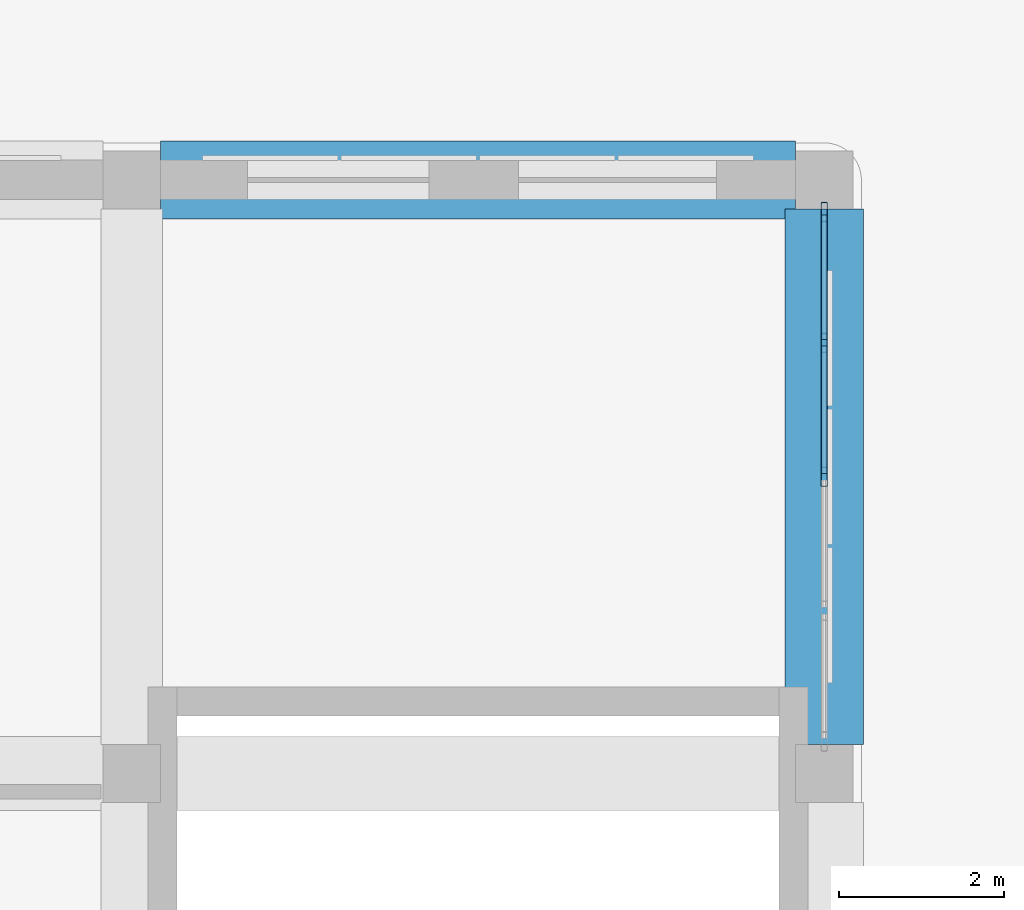
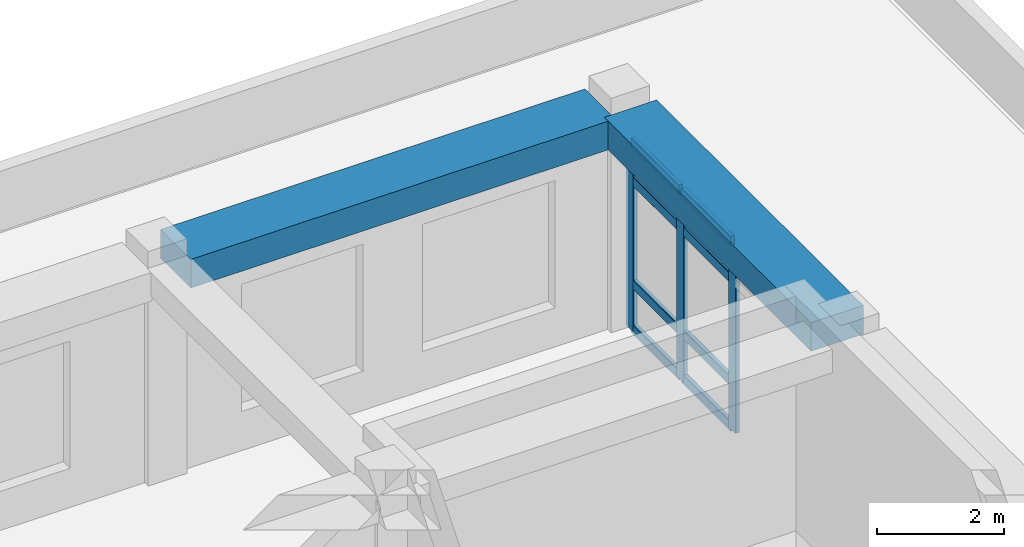
# One storey, part 39 of 100: 11 members, 2 beams, 1 element without a shape of its own.
"""IFC4 building model written with IfcOpenShell, lengths in metres."""

import ifcopenshell
import ifcopenshell.guid

model = None  # the IFC model being written
_history = None  # IfcOwnerHistory: only IFC2X3 demands one
_inside = {}  # id of a spatial element -> (the spatial element, [elements in it])
_under = {}  # id of a project, library or spatial element -> (it, [spatial elements below it])
_declared = {}  # id of a project -> (the project, [libraries it declares])
_typed = {}  # id of a type object -> (the type object, [elements of that type])
_made_of = {}  # id of a material, layer set ... -> (it, [elements and type objects made of it])


def new_model(schema):
    """Start an empty IFC model of exactly this schema.

    Asked for "IFC4X3", IfcOpenShell would pick the latest addendum, in which some entities
    have other attributes; the version numbers below select the first issue.
    IFC2X3 requires an IfcOwnerHistory on every rooted entity: one is made here for all.
    """
    global model, _history
    if schema == "IFC4X3":
        model = ifcopenshell.file(schema_version=(4, 3, 0, 0))
    else:
        model = ifcopenshell.file(schema=schema)
    _inside.clear()
    _under.clear()
    _declared.clear()
    _typed.clear()
    _made_of.clear()
    _history = None
    if model.schema == "IFC2X3":
        org = make("IfcOrganization", Name="unknown")
        user = make(
            "IfcPersonAndOrganization",
            ThePerson=make("IfcPerson", FamilyName="unknown"),
            TheOrganization=org,
        )
        app = make(
            "IfcApplication",
            ApplicationDeveloper=org,
            Version="unknown",
            ApplicationFullName="unknown",
            ApplicationIdentifier="unknown",
        )
        _history = make(
            "IfcOwnerHistory",
            OwningUser=user,
            OwningApplication=app,
            ChangeAction="ADDED",
            CreationDate=0,
        )
    return model


def make(cls, **values):
    """One entity of the class cls with the attributes given. An attribute that is None is left unset."""
    return model.create_entity(
        cls, **{name: value for name, value in values.items() if value is not None}
    )


def rooted(cls, **values):
    """An entity with a GlobalId (a new one), such as an element, a storey or a relation."""
    return make(cls, GlobalId=ifcopenshell.guid.new(), OwnerHistory=_history, **values)


def si_unit(unit_type, name, prefix=None):
    """IfcSIUnit, for example si_unit("LENGTHUNIT", "METRE", prefix="MILLI")."""
    return make("IfcSIUnit", UnitType=unit_type, Prefix=prefix, Name=name)


def derived_unit(unit_type, elements):
    """IfcDerivedUnit: a product of units, each with its exponent."""
    return make(
        "IfcDerivedUnit",
        Elements=[
            make("IfcDerivedUnitElement", Unit=unit, Exponent=power)
            for unit, power in elements
        ],
        UnitType=unit_type,
    )


def assignment(units):
    """IfcUnitAssignment: the units of a project."""
    return None if units is None else make("IfcUnitAssignment", Units=units)


def point(xyz):
    """IfcCartesianPoint."""
    return None if xyz is None else make("IfcCartesianPoint", Coordinates=xyz)


def direction(xyz):
    """IfcDirection."""
    return None if xyz is None else make("IfcDirection", DirectionRatios=xyz)


def frame(location, z_axis=None, x_axis=None):
    """IfcAxis2Placement3D, a coordinate frame: its origin and axes. An axis left out is left unset."""
    return make(
        "IfcAxis2Placement3D",
        Location=point(location),
        Axis=direction(z_axis),
        RefDirection=direction(x_axis),
    )


def frame_2d(location, x_axis=None):
    """IfcAxis2Placement2D, a coordinate frame in the plane: its origin and x axis."""
    return make(
        "IfcAxis2Placement2D", Location=point(location), RefDirection=direction(x_axis)
    )


def origin():
    """The frame at (0, 0, 0) with its axes left unset."""
    return frame((0.0, 0.0, 0.0))


def origin_2d():
    """The frame at (0, 0) in the plane with its x axis left unset."""
    return frame_2d((0.0, 0.0))


def place(relative_to, where):
    """IfcLocalPlacement: puts the frame where relative to a parent placement (None: the world)."""
    return make(
        "IfcLocalPlacement", PlacementRelTo=relative_to, RelativePlacement=where
    )


def context(
    kind, dimensions, precision=None, world=None, true_north=None, identifier=None
):
    """IfcGeometricRepresentationContext, for example the 3D "Model" context."""
    return make(
        "IfcGeometricRepresentationContext",
        ContextIdentifier=identifier,
        ContextType=kind,
        CoordinateSpaceDimension=dimensions,
        Precision=precision,
        WorldCoordinateSystem=world,
        TrueNorth=true_north,
    )


def subcontext(parent, identifier, kind, view, scale=None):
    """IfcGeometricRepresentationSubContext, for example "Body" below "Model"."""
    return make(
        "IfcGeometricRepresentationSubContext",
        ContextIdentifier=identifier,
        ContextType=kind,
        ParentContext=parent,
        TargetScale=scale,
        TargetView=view,
    )


def project(units=None, contexts=None):
    """IfcProject with its units and contexts."""
    return rooted(
        "IfcProject",
        Name="project",
        RepresentationContexts=contexts,
        UnitsInContext=assignment(units),
    )


def spatial(cls, under=None, at=None, **own):
    """A site, building, storey or space (cls), placed at a placement, below another one or the project."""
    s = rooted(cls, ObjectPlacement=at, **own)
    if under is not None:
        _under.setdefault(under.id(), (under, []))[1].append(s)
    return s


def profile(cls, at=None, kind="AREA", **sizes):
    """A parametric profile (cls). Its sizes go by their IFC names, for example OverallWidth=200.0."""
    return make(cls, ProfileType=kind, Position=at, **sizes)


def rectangle(**sizes):
    """IfcRectangleProfileDef."""
    return profile("IfcRectangleProfileDef", **sizes)


def hollow_rectangle(**sizes):
    """IfcRectangleHollowProfileDef."""
    return profile("IfcRectangleHollowProfileDef", **sizes)


def extrude(swept, where, along, depth):
    """IfcExtrudedAreaSolid: the profile swept, set in the frame where, extruded along a direction by depth."""
    return make(
        "IfcExtrudedAreaSolid",
        SweptArea=swept,
        Position=where,
        ExtrudedDirection=direction(along),
        Depth=depth,
    )


def shape(context_of_items, identifier, shape_type, items):
    """IfcShapeRepresentation: the items that make up one representation, for example the "Body"."""
    return make(
        "IfcShapeRepresentation",
        ContextOfItems=context_of_items,
        RepresentationIdentifier=identifier,
        RepresentationType=shape_type,
        Items=items,
    )


def material(Name=None, Category=None):
    """IfcMaterial."""
    return make("IfcMaterial", Name=Name, Category=Category)


def material_profile(
    of_material, cross_section, Name=None, Category=None, Priority=None
):
    """IfcMaterialProfile: a cross section and its material."""
    return make(
        "IfcMaterialProfile",
        Name=Name,
        Material=of_material,
        Profile=cross_section,
        Priority=Priority,
        Category=Category,
    )


def profile_set(profiles, Name=None, composite=None):
    """IfcMaterialProfileSet."""
    return make(
        "IfcMaterialProfileSet",
        Name=Name,
        MaterialProfiles=profiles,
        CompositeProfile=composite,
    )


def made_of(thing, what):
    """Note that an element or type object is made of a material, layer set ...; save() writes the relation."""
    if what is not None:
        _made_of.setdefault(what.id(), (what, []))[1].append(thing)
    return thing


def type_object(cls, material=None, **own):
    """A type object (cls), such as IfcWallType, which elements share."""
    return made_of(rooted(cls, **own), material)


def element(
    cls,
    number,
    at=None,
    inside=None,
    cuts=None,
    type_object=None,
    material=None,
    context=None,
    identifier="Body",
    shape_type=None,
    held_by="IfcProductDefinitionShape",
    body=None,
    shapes=None,
    **own,
):
    """One element of the class cls, such as IfcWall. Its Tag is "e" and its number.

    at: its placement. inside: the storey or other place that contains it. cuts: it is an
    opening in that element (IfcRelVoidsElement). A single representation is given by context,
    identifier, shape_type and body (its items); several are given by shapes. held_by: the class
    of the entity that holds the representations. save() writes the other relations.
    """
    e = rooted(cls, Tag="e%d" % number, ObjectPlacement=at, **own)
    if body is not None:
        shapes = [shape(context, identifier, shape_type, body)]
    if shapes is not None:
        e.Representation = make(held_by, Representations=shapes)
    if inside is not None:
        _inside.setdefault(inside.id(), (inside, []))[1].append(e)
    if cuts is not None:
        rooted(
            "IfcRelVoidsElement", RelatingBuildingElement=cuts, RelatedOpeningElement=e
        )
    if type_object is not None:
        _typed.setdefault(type_object.id(), (type_object, []))[1].append(e)
    return made_of(e, material)


def aggregate(whole, parts):
    """IfcRelAggregates: a whole, such as a stair, and the parts it consists of."""
    return rooted("IfcRelAggregates", RelatingObject=whole, RelatedObjects=parts)


def save(model, path):
    """Write the relations noted so far, then the file.

    IfcRelAggregates (storeys below a building ...), IfcRelContainedInSpatialStructure (elements
    in a storey), IfcRelDefinesByType, IfcRelAssociatesMaterial and IfcRelDeclares: one each for
    every whole, place, type object, material and project.
    """
    for whole, parts in _under.values():
        aggregate(whole, parts)
    for where, things in _inside.values():
        rooted(
            "IfcRelContainedInSpatialStructure",
            RelatedElements=things,
            RelatingStructure=where,
        )
    for kind, things in _typed.values():
        rooted("IfcRelDefinesByType", RelatedObjects=things, RelatingType=kind)
    for what, things in _made_of.values():
        rooted("IfcRelAssociatesMaterial", RelatedObjects=things, RelatingMaterial=what)
    for by, libraries in _declared.values():
        rooted("IfcRelDeclares", RelatingContext=by, RelatedDefinitions=libraries)
    model.write(path)


model = new_model("IFC4")

# Units and contexts
model_context = context("Model", 3, precision=1e-05, world=origin(), true_north=direction((0.0, 1.0)))
body_context = subcontext(model_context, "Body", "Model", "MODEL_VIEW")
ifc_project = project(units=[si_unit("LENGTHUNIT", "METRE"), si_unit("AREAUNIT", "SQUARE_METRE"), si_unit("VOLUMEUNIT", "CUBIC_METRE"), si_unit("PLANEANGLEUNIT", "RADIAN"), si_unit("MASSUNIT", "GRAM", prefix="KILO"), derived_unit("THERMALTRANSMITTANCEUNIT", [(si_unit("POWERUNIT", "WATT"), 1), (si_unit("LENGTHUNIT", "METRE"), -2), (si_unit("THERMODYNAMICTEMPERATUREUNIT", "KELVIN"), -1)])], contexts=[model_context])

# Site, building, storey
site_placement = place(None, origin())
site = spatial("IfcSite", under=ifc_project, at=site_placement, CompositionType="ELEMENT")
building_placement = place(site_placement, origin())
building = spatial("IfcBuilding", under=site, at=building_placement, Name="Veybourne Emporium", CompositionType="ELEMENT")
storey_placement = place(building_placement, frame((0.0, 0.0, 14.39990234375)))
storey = spatial("IfcBuildingStorey", under=building, at=storey_placement, Name="L03", CompositionType="ELEMENT", Elevation=14.39990234375)

# Curtain wall, members
ifc_material_1 = material(Name="Patinated Architectural Bronze", Category="bronze")
curtain_wall_type = type_object("IfcCurtainWallType", Name="CWSystem_CWS-23", PredefinedType="NOTDEFINED", material=ifc_material_1)
curtain_wall_placement = place(storey_placement, origin())
curtain_wall = element("IfcCurtainWall", 1, at=curtain_wall_placement, inside=storey, type_object=curtain_wall_type, Name="L03 bronze glazed curtain wall CWS-23 (069)", PredefinedType="NOTDEFINED")
ifc_material_profile_1 = material_profile(ifc_material_1, hollow_rectangle(XDim=0.077880859375, YDim=0.235107421875, WallThickness=0.0048828125, InnerFilletRadius=0.007568359375, OuterFilletRadius=0.012451171875, at=origin_2d()), Name="CWM 78x235x5")
ifc_profile_set_1 = profile_set([ifc_material_profile_1], Name="Patinated Architectural Bronze")
member_type_1 = type_object("IfcMemberType", Name="CWMullion_CW-M3", PredefinedType="MULLION", material=ifc_profile_set_1)
member_1_placement = place(storey_placement, frame((134.39990234375, 21.2109375, 0.0), z_axis=(0.0, 0.0, 1.0), x_axis=(1.0, 0.0, 0.0)))
member_1 = element("IfcMember", 2, at=member_1_placement, type_object=member_type_1, Name="CWS-23 mullion 1", PredefinedType="MULLION", context=body_context, shape_type="SweptSolid", body=[
    extrude(hollow_rectangle(XDim=0.077880859375, YDim=0.235107421875, WallThickness=0.0048828125, InnerFilletRadius=0.007568359375, OuterFilletRadius=0.012451171875, at=origin_2d()), origin(), (0.0, 0.0, 1.0), 3.630126953125),
])
member_2_placement = place(storey_placement, frame((134.39990234375, 19.625, 0.0), z_axis=(0.0, 0.0, 1.0), x_axis=(1.0, 0.0, 0.0)))
member_2 = element("IfcMember", 3, at=member_2_placement, type_object=member_type_1, Name="CWS-23 mullion 2", PredefinedType="MULLION", context=body_context, shape_type="SweptSolid", body=[
    extrude(hollow_rectangle(XDim=0.077880859375, YDim=0.235107421875, WallThickness=0.0048828125, InnerFilletRadius=0.007568359375, OuterFilletRadius=0.012451171875, at=origin_2d()), origin(), (0.0, 0.0, 1.0), 3.630126953125),
])
member_3_placement = place(storey_placement, frame((134.39990234375, 18.0, 0.0), z_axis=(0.0, 0.0, 1.0), x_axis=(1.0, 0.0, 0.0)))
member_3 = element("IfcMember", 4, at=member_3_placement, type_object=member_type_1, Name="CWS-23 mullion 3", PredefinedType="MULLION", context=body_context, shape_type="SweptSolid", body=[
    extrude(hollow_rectangle(XDim=0.077880859375, YDim=0.235107421875, WallThickness=0.0048828125, InnerFilletRadius=0.007568359375, OuterFilletRadius=0.012451171875, at=origin_2d()), origin(), (0.0, 0.0, 1.0), 3.630126953125),
])
ifc_material_profile_2 = material_profile(ifc_material_1, hollow_rectangle(XDim=0.077880859375, YDim=0.18505859375, WallThickness=0.0048828125, InnerFilletRadius=0.007568359375, OuterFilletRadius=0.012451171875, at=origin_2d()), Name="CWT 78x185x5")
ifc_profile_set_2 = profile_set([ifc_material_profile_2], Name="Patinated Architectural Bronze")
member_type_2 = type_object("IfcMemberType", Name="CWTransom_CW-T3", PredefinedType="NOTDEFINED", material=ifc_profile_set_2)
member_4_placement = place(storey_placement, frame((134.39990234375, 21.172119140625, 0.0390625), z_axis=(0.0, -1.0, 0.0), x_axis=(1.0, 0.0, 0.0)))
member_4 = element("IfcMember", 5, at=member_4_placement, type_object=member_type_2, Name="CWS-23 transom 1.1", ObjectType="TRANSOM", PredefinedType="USERDEFINED", context=body_context, shape_type="SweptSolid", body=[
    extrude(hollow_rectangle(XDim=0.077880859375, YDim=0.18505859375, WallThickness=0.0048828125, InnerFilletRadius=0.007568359375, OuterFilletRadius=0.012451171875, at=origin_2d()), origin(), (0.0, 0.0, 1.0), 1.508056640625),
])
member_5_placement = place(storey_placement, frame((134.39990234375, 21.172119140625, 0.900146484375), z_axis=(0.0, -1.0, 0.0), x_axis=(1.0, 0.0, 0.0)))
member_5 = element("IfcMember", 6, at=member_5_placement, type_object=member_type_2, Name="CWS-23 transom 1.2", ObjectType="TRANSOM", PredefinedType="USERDEFINED", context=body_context, shape_type="SweptSolid", body=[
    extrude(hollow_rectangle(XDim=0.077880859375, YDim=0.18505859375, WallThickness=0.0048828125, InnerFilletRadius=0.007568359375, OuterFilletRadius=0.012451171875, at=origin_2d()), origin(), (0.0, 0.0, 1.0), 1.508056640625),
])
member_6_placement = place(storey_placement, frame((134.39990234375, 21.172119140625, 2.880126953125), z_axis=(0.0, -1.0, 0.0), x_axis=(1.0, 0.0, 0.0)))
member_6 = element("IfcMember", 7, at=member_6_placement, type_object=member_type_2, Name="CWS-23 transom 1.3", ObjectType="TRANSOM", PredefinedType="USERDEFINED", context=body_context, shape_type="SweptSolid", body=[
    extrude(hollow_rectangle(XDim=0.077880859375, YDim=0.18505859375, WallThickness=0.0048828125, InnerFilletRadius=0.007568359375, OuterFilletRadius=0.012451171875, at=origin_2d()), origin(), (0.0, 0.0, 1.0), 1.508056640625),
])
member_7_placement = place(storey_placement, frame((134.39990234375, 21.172119140625, 3.591064453125), z_axis=(0.0, -1.0, 0.0), x_axis=(1.0, 0.0, 0.0)))
member_7 = element("IfcMember", 8, at=member_7_placement, type_object=member_type_2, Name="CWS-23 transom 1.4", ObjectType="TRANSOM", PredefinedType="USERDEFINED", context=body_context, shape_type="SweptSolid", body=[
    extrude(hollow_rectangle(XDim=0.077880859375, YDim=0.18505859375, WallThickness=0.0048828125, InnerFilletRadius=0.007568359375, OuterFilletRadius=0.012451171875, at=origin_2d()), origin(), (0.0, 0.0, 1.0), 1.508056640625),
])
member_8_placement = place(storey_placement, frame((134.39990234375, 19.5859375, 0.0390625), z_axis=(0.0, -1.0, 0.0), x_axis=(1.0, 0.0, 0.0)))
member_8 = element("IfcMember", 9, at=member_8_placement, type_object=member_type_2, Name="CWS-23 transom 2.1", ObjectType="TRANSOM", PredefinedType="USERDEFINED", context=body_context, shape_type="SweptSolid", body=[
    extrude(hollow_rectangle(XDim=0.077880859375, YDim=0.18505859375, WallThickness=0.0048828125, InnerFilletRadius=0.007568359375, OuterFilletRadius=0.012451171875, at=origin_2d()), origin(), (0.0, 0.0, 1.0), 1.546875),
])
member_9_placement = place(storey_placement, frame((134.39990234375, 19.5859375, 0.900146484375), z_axis=(0.0, -1.0, 0.0), x_axis=(1.0, 0.0, 0.0)))
member_9 = element("IfcMember", 10, at=member_9_placement, type_object=member_type_2, Name="CWS-23 transom 2.2", ObjectType="TRANSOM", PredefinedType="USERDEFINED", context=body_context, shape_type="SweptSolid", body=[
    extrude(hollow_rectangle(XDim=0.077880859375, YDim=0.18505859375, WallThickness=0.0048828125, InnerFilletRadius=0.007568359375, OuterFilletRadius=0.012451171875, at=origin_2d()), origin(), (0.0, 0.0, 1.0), 1.546875),
])
member_10_placement = place(storey_placement, frame((134.39990234375, 19.5859375, 2.880126953125), z_axis=(0.0, -1.0, 0.0), x_axis=(1.0, 0.0, 0.0)))
member_10 = element("IfcMember", 11, at=member_10_placement, type_object=member_type_2, Name="CWS-23 transom 2.3", ObjectType="TRANSOM", PredefinedType="USERDEFINED", context=body_context, shape_type="SweptSolid", body=[
    extrude(hollow_rectangle(XDim=0.077880859375, YDim=0.18505859375, WallThickness=0.0048828125, InnerFilletRadius=0.007568359375, OuterFilletRadius=0.012451171875, at=origin_2d()), origin(), (0.0, 0.0, 1.0), 1.546875),
])
member_11_placement = place(storey_placement, frame((134.39990234375, 19.5859375, 3.591064453125), z_axis=(0.0, -1.0, 0.0), x_axis=(1.0, 0.0, 0.0)))
member_11 = element("IfcMember", 12, at=member_11_placement, type_object=member_type_2, Name="CWS-23 transom 2.4", ObjectType="TRANSOM", PredefinedType="USERDEFINED", context=body_context, shape_type="SweptSolid", body=[
    extrude(hollow_rectangle(XDim=0.077880859375, YDim=0.18505859375, WallThickness=0.0048828125, InnerFilletRadius=0.007568359375, OuterFilletRadius=0.012451171875, at=origin_2d()), origin(), (0.0, 0.0, 1.0), 1.546875),
])
aggregate(curtain_wall, [member_1, member_2, member_3, member_4, member_5, member_6, member_7, member_8, member_9, member_10, member_11])

# Beams
ifc_material_2 = material(Name="Concrete C32/40", Category="concrete")
ifc_material_profile_3 = material_profile(ifc_material_2, rectangle(XDim=0.949951171875, YDim=0.550048828125, at=origin_2d()), Name="RC 950x550")
ifc_profile_set_3 = profile_set([ifc_material_profile_3], Name="Concrete C32/40")
beam_type = type_object("IfcBeamType", Name="RCBeam_EB-01", PredefinedType="SPANDREL", material=ifc_profile_set_3)
beam_1_placement = place(storey_placement, frame((126.35009765625, 21.60009765625, 3.905029296875), z_axis=(1.0, 0.0, 0.0), x_axis=(0.0, 1.0, 0.0)))
element("IfcBeam", 13, at=beam_1_placement, inside=storey, type_object=beam_type, Name="L03 X-grid beam EB-01 (15,3)", PredefinedType="SPANDREL", context=body_context, shape_type="SweptSolid", body=[
    extrude(rectangle(XDim=0.949951171875, YDim=0.550048828125, at=origin_2d()), origin(), (0.0, 0.0, 1.0), 7.699951171875),
])
beam_2_placement = place(storey_placement, frame((134.39990234375, 14.75, 3.905029296875), z_axis=(0.0, 1.0, 0.0), x_axis=(-1.0, 0.0, 0.0)))
element("IfcBeam", 14, at=beam_2_placement, inside=storey, type_object=beam_type, Name="L03 Y-grid beam EB-01 (16,2)", PredefinedType="SPANDREL", context=body_context, shape_type="SweptSolid", body=[
    extrude(rectangle(XDim=0.949951171875, YDim=0.550048828125, at=origin_2d()), origin(), (0.0, 0.0, 1.0), 6.5),
])

save(model, "model.ifc")
